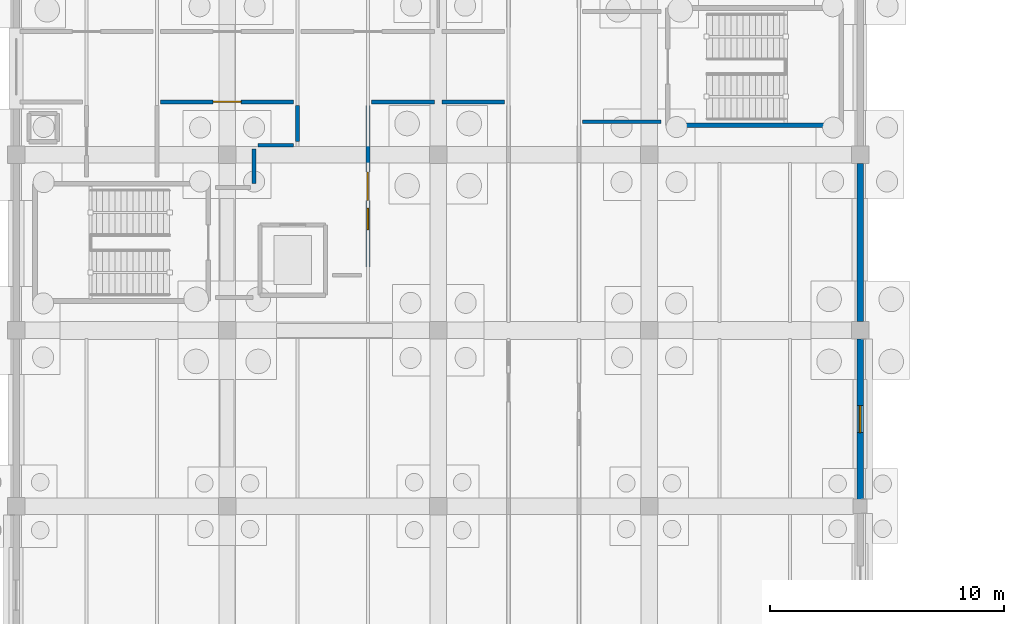
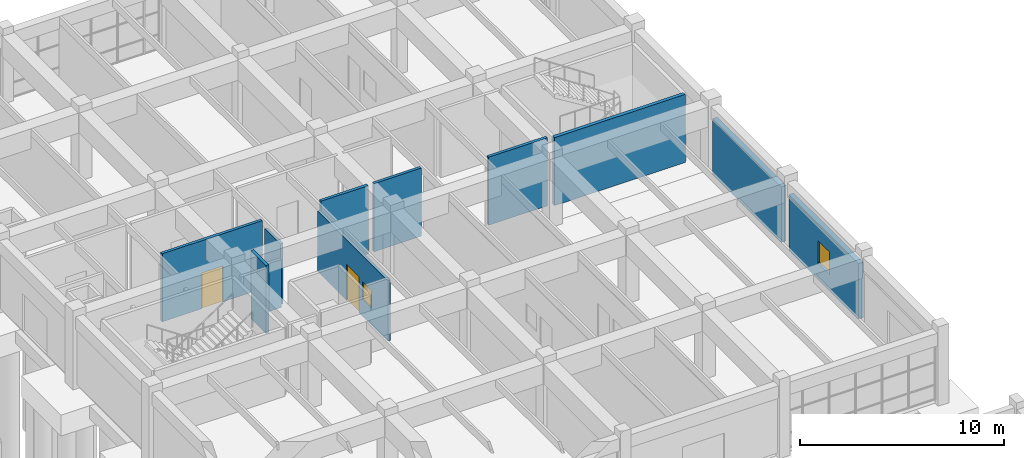
# One storey, part 83 of 93: 11 walls, 2 doors, 2 windows, 4 openings.
"""IFC4 building model written with IfcOpenShell, lengths in metres."""

from ifc_helpers import new_model, si_unit, direction, frame, frame_2d, origin, place, context, subcontext, project, spatial, rectangle, extrude, material, layer, layer_set, type_object, element, fill, save


model = new_model("IFC4")

# Units and contexts
model_context = context("Model", 3, precision=1e-05, world=origin(), true_north=direction((0.0, 1.0)))
body_context = subcontext(model_context, "Body", "Model", "MODEL_VIEW")
ifc_project = project(units=[si_unit("LENGTHUNIT", "METRE"), si_unit("AREAUNIT", "SQUARE_METRE"), si_unit("VOLUMEUNIT", "CUBIC_METRE"), si_unit("PLANEANGLEUNIT", "RADIAN"), si_unit("MASSUNIT", "GRAM", prefix="KILO")], contexts=[model_context])

# Site, building, storey
site_placement = place(None, origin())
site = spatial("IfcSite", under=ifc_project, at=site_placement, CompositionType="ELEMENT")
building_placement = place(site_placement, origin())
building = spatial("IfcBuilding", under=site, at=building_placement, Name="Marnridge Secondary College", CompositionType="ELEMENT")
storey_placement = place(building_placement, origin())
storey = spatial("IfcBuildingStorey", under=building, at=storey_placement, Name="L00", CompositionType="ELEMENT", Elevation=0.0)

# Walls
ifc_material_1 = material(Name="Concrete C40/50 (AS 3600 N40, 40 MPa)", Category="concrete")
ifc_layer_1 = layer(ifc_material_1, 0.199951171875)
ifc_layer_set_1 = layer_set([ifc_layer_1], Name="WT-CORE-RC200")
wall_type_1 = type_object("IfcWallType", Name="WT-CORE-RC200", PredefinedType="SHEAR", material=ifc_layer_set_1)
wall_1_placement = place(storey_placement, frame((81.800048828125, 61.25, 0.0), z_axis=(0.0, 0.0, 1.0), x_axis=(1.0, 0.0, 0.0)))
element("IfcWall", 1, at=wall_1_placement, inside=storey, type_object=wall_type_1, Name="Stair core shear wall WC-L00-0273", PredefinedType="SHEAR", context=body_context, shape_type="SweptSolid", body=[
    extrude(rectangle(XDim=7.39990234375, YDim=0.199951171875, at=frame_2d((3.699951171875, 0.0))), origin(), (0.0, 0.0, 1.0), 4.080078125),
])
ifc_material_2 = material(Name="Concrete C40/50 (AS 3600 N40, 40 MPa)", Category="concrete")
ifc_layer_2 = layer(ifc_material_2, 0.280029296875)
ifc_layer_set_2 = layer_set([ifc_layer_2], Name="WT-EXT-RC280")
wall_type_2 = type_object("IfcWallType", Name="WT-EXT-RC280", PredefinedType="SOLIDWALL", material=ifc_layer_set_2)
wall_2_placement = place(storey_placement, frame((90.0, 59.62890625, 0.0), z_axis=(0.0, 0.0, 1.0), x_axis=(0.0, -1.0, 0.0)))
element("IfcWall", 2, at=wall_2_placement, inside=storey, type_object=wall_type_2, Name="Exterior wall WE-L00-0005", PredefinedType="SOLIDWALL", context=body_context, shape_type="SweptSolid", body=[
    extrude(rectangle(XDim=6.7578125, YDim=0.280029296875, at=frame_2d((3.37890625, 0.0))), origin(), (0.0, 0.0, 1.0), 3.322021484375),
])

# Wall, opening, window
wall_3_placement = place(storey_placement, frame((90.0, 52.12890625, 0.0), z_axis=(0.0, 0.0, 1.0), x_axis=(0.0, -1.0, 0.0)))
wall_3 = element("IfcWall", 3, at=wall_3_placement, inside=storey, type_object=wall_type_2, Name="Exterior wall WE-L00-0006", PredefinedType="SOLIDWALL", context=body_context, shape_type="SweptSolid", body=[
    extrude(rectangle(XDim=6.8330078125, YDim=0.280029296875, at=frame_2d((3.41650390625, 0.0))), origin(), (0.0, 0.0, 1.0), 3.322021484375),
])
opening_1_placement = place(wall_3_placement, frame((2.841552734375, 0.0, 0.949951171875)))
opening_1 = element("IfcOpeningElement", 4, at=opening_1_placement, cuts=wall_3, Name="Opening WN-L00-0001", PredefinedType="OPENING", context=body_context, shape_type="SweptSolid", body=[
    extrude(rectangle(XDim=1.14990234375, YDim=1.35009765625, at=frame_2d((0.574951171875, 0.675048828125))), frame((0.0, 0.14990234375, 0.0), z_axis=(0.0, -1.0, 0.0), x_axis=(1.0, 0.0, 0.0)), (0.0, 0.0, 1.0), 0.300048828125),
])
ifc_material_3 = material(Name="Solar-control low-E double glazing", Category="glass")
window_type_1 = type_object("IfcWindowType", Name="WN-EXT-V01", PartitioningType="DOUBLE_PANEL_VERTICAL", PredefinedType="WINDOW", material=ifc_material_3)
window_1_placement = place(opening_1_placement, origin())
window_1 = element("IfcWindow", 5, at=window_1_placement, inside=storey, type_object=window_type_1, Name="Facade window WN-L00-0001", OverallHeight=1.35009765625, OverallWidth=1.14990234375, PartitioningType="DOUBLE_PANEL_VERTICAL", PredefinedType="WINDOW", context=body_context, shape_type="SweptSolid", body=[
    extrude(rectangle(XDim=1.14990234375, YDim=1.35009765625, at=frame_2d((0.574951171875, 0.675048828125))), frame((0.0, 0.030029296875, 0.0), z_axis=(0.0, -1.0, 0.0), x_axis=(1.0, 0.0, 0.0)), (0.0, 0.0, 1.0), 0.06005859375),
])
fill(opening_1, window_1)

# Wall
ifc_material_4 = material(Name="Acoustic plasterboard on twin steel Grade 350 framing Rw55", Category="steel")
ifc_layer_3 = layer(ifc_material_4, 0.1650390625)
ifc_layer_set_3 = layer_set([ifc_layer_3], Name="WT-PART-AC165")
wall_type_3 = type_object("IfcWallType", Name="WT-PART-AC165", PredefinedType="PARTITIONING", material=ifc_layer_set_3)
wall_4_placement = place(storey_placement, frame((71.840087890625, 62.25, 0.0), z_axis=(0.0, 0.0, 1.0), x_axis=(-1.0, 0.0, 0.0)))
element("IfcWall", 6, at=wall_4_placement, inside=storey, type_object=wall_type_3, Name="Interior partition WP-L00-0008", PredefinedType="PARTITIONING", context=body_context, shape_type="SweptSolid", body=[
    extrude(rectangle(XDim=2.68017578125, YDim=0.1650390625, at=frame_2d((1.340087890625, 0.0))), origin(), (0.0, 0.0, 1.0), 4.080078125),
])

# Wall, openings, door, window
wall_5_placement = place(storey_placement, frame((69.0, 62.090087890625, 0.0), z_axis=(0.0, 0.0, 1.0), x_axis=(0.0, -1.0, 0.0)))
wall_5 = element("IfcWall", 7, at=wall_5_placement, inside=storey, type_object=wall_type_3, Name="Interior partition WP-L00-0009", PredefinedType="PARTITIONING", context=body_context, shape_type="SweptSolid", body=[
    extrude(rectangle(XDim=6.880126953125, YDim=0.1650390625, at=frame_2d((3.43994140625, 0.0))), origin(), (0.0, 0.0, 1.0), 3.6220703125),
])
opening_2_placement = place(wall_5_placement, frame((2.840087890625, 0.0, 0.0)))
opening_2 = element("IfcOpeningElement", 8, at=opening_2_placement, cuts=wall_5, Name="Opening DI-L00-0004", PredefinedType="OPENING", context=body_context, shape_type="SweptSolid", body=[
    extrude(rectangle(XDim=1.199951171875, YDim=2.14990234375, at=frame_2d((0.60009765625, 1.074951171875))), frame((0.0, 0.092529296875, 0.0), z_axis=(0.0, -1.0, 0.0), x_axis=(1.0, 0.0, 0.0)), (0.0, 0.0, 1.0), 0.18505859375),
])
opening_3_placement = place(wall_5_placement, frame((4.389892578125, 0.0, 1.02001953125)))
opening_3 = element("IfcOpeningElement", 9, at=opening_3_placement, cuts=wall_5, Name="Opening WNI-L00-001", PredefinedType="OPENING", context=body_context, shape_type="SweptSolid", body=[
    extrude(rectangle(XDim=0.89990234375, YDim=1.050048828125, at=frame_2d((0.449951171875, 0.52490234375))), frame((0.0, 0.092529296875, 0.0), z_axis=(0.0, -1.0, 0.0), x_axis=(1.0, 0.0, 0.0)), (0.0, 0.0, 1.0), 0.18505859375),
])
ifc_material_5 = material(Name="Galvanised steel Grade 350 plant-room fire doorset", Category="steel")
door_type = type_object("IfcDoorType", Name="DT-PLT-120", OperationType="NOTDEFINED", PredefinedType="DOOR", material=ifc_material_5)
door_1_placement = place(opening_2_placement, origin())
door_1 = element("IfcDoor", 10, at=door_1_placement, inside=storey, type_object=door_type, Name="Interior door DI-L00-0004", OperationType="SINGLE_SWING_RIGHT", OverallHeight=2.14990234375, OverallWidth=1.199951171875, PredefinedType="DOOR", context=body_context, shape_type="SweptSolid", body=[
    extrude(rectangle(XDim=1.199951171875, YDim=2.14990234375, at=frame_2d((0.60009765625, 1.074951171875))), frame((0.0, 0.02490234375, 0.0), z_axis=(0.0, -1.0, 0.0), x_axis=(1.0, 0.0, 0.0)), (0.0, 0.0, 1.0), 0.050048828125),
])
fill(opening_2, door_1)
ifc_material_6 = material(Name="Acoustic laminated interior vision glazing", Category="glass")
window_type_2 = type_object("IfcWindowType", Name="WN-BL-VAR01", PartitioningType="DOUBLE_PANEL_VERTICAL", PredefinedType="WINDOW", material=ifc_material_6)
window_2_placement = place(opening_3_placement, origin())
window_2 = element("IfcWindow", 11, at=window_2_placement, inside=storey, type_object=window_type_2, Name="Interior vision window WNI-L00-001", OverallHeight=1.050048828125, OverallWidth=0.89990234375, PartitioningType="DOUBLE_PANEL_VERTICAL", PredefinedType="WINDOW", context=body_context, shape_type="SweptSolid", body=[
    extrude(rectangle(XDim=0.89990234375, YDim=1.050048828125, at=frame_2d((0.449951171875, 0.52490234375))), frame((0.0, 0.030029296875, 0.0), z_axis=(0.0, -1.0, 0.0), x_axis=(1.0, 0.0, 0.0)), (0.0, 0.0, 1.0), 0.06005859375),
])
fill(opening_3, window_2)

# Walls
wall_6_placement = place(storey_placement, frame((74.840087890625, 62.25, 0.0), z_axis=(0.0, 0.0, 1.0), x_axis=(-1.0, 0.0, 0.0)))
element("IfcWall", 12, at=wall_6_placement, inside=storey, type_object=wall_type_3, Name="Interior partition WP-L00-0012", PredefinedType="PARTITIONING", context=body_context, shape_type="SweptSolid", body=[
    extrude(rectangle(XDim=2.68017578125, YDim=0.1650390625, at=frame_2d((1.340087890625, 0.0))), origin(), (0.0, 0.0, 1.0), 4.080078125),
])
wall_7_placement = place(storey_placement, frame((81.5, 61.39990234375, 0.0), z_axis=(0.0, 0.0, 1.0), x_axis=(-1.0, 0.0, 0.0)))
element("IfcWall", 13, at=wall_7_placement, inside=storey, type_object=wall_type_3, Name="Interior partition WP-L00-0013", PredefinedType="PARTITIONING", context=body_context, shape_type="SweptSolid", body=[
    extrude(rectangle(XDim=3.340087890625, YDim=0.1650390625, at=frame_2d((1.669921875, 0.0))), origin(), (0.0, 0.0, 1.0), 4.080078125),
])
wall_8_placement = place(storey_placement, frame((64.14990234375, 58.760009765625, 0.0), z_axis=(0.0, 0.0, 1.0), x_axis=(0.0, 1.0, 0.0)))
element("IfcWall", 14, at=wall_8_placement, inside=storey, type_object=wall_type_3, Name="Interior partition WP-L00-0016", PredefinedType="PARTITIONING", context=body_context, shape_type="SweptSolid", body=[
    extrude(rectangle(XDim=1.47998046875, YDim=0.1650390625, at=frame_2d((0.739990234375, 0.0))), origin(), (0.0, 0.0, 1.0), 4.080078125),
])
wall_9_placement = place(storey_placement, frame((64.31005859375, 60.39990234375, 0.0), z_axis=(0.0, 0.0, 1.0), x_axis=(1.0, 0.0, 0.0)))
element("IfcWall", 15, at=wall_9_placement, inside=storey, type_object=wall_type_3, Name="Interior partition WP-L00-0017", PredefinedType="PARTITIONING", context=body_context, shape_type="SweptSolid", body=[
    extrude(rectangle(XDim=1.530029296875, YDim=0.1650390625, at=frame_2d((0.76513671875, 0.0))), origin(), (0.0, 0.0, 1.0), 2.8720703125),
])
wall_10_placement = place(storey_placement, frame((66.0, 60.56005859375, 0.0), z_axis=(0.0, 0.0, 1.0), x_axis=(0.0, 1.0, 0.0)))
element("IfcWall", 16, at=wall_10_placement, inside=storey, type_object=wall_type_3, Name="Interior partition WP-L00-0018", PredefinedType="PARTITIONING", context=body_context, shape_type="SweptSolid", body=[
    extrude(rectangle(XDim=1.530029296875, YDim=0.1650390625, at=frame_2d((0.76513671875, 0.0))), origin(), (0.0, 0.0, 1.0), 3.6220703125),
])

# Wall, opening, door
wall_11_placement = place(storey_placement, frame((65.840087890625, 62.25, 0.0), z_axis=(0.0, 0.0, 1.0), x_axis=(-1.0, 0.0, 0.0)))
wall_11 = element("IfcWall", 17, at=wall_11_placement, inside=storey, type_object=wall_type_3, Name="Interior partition WP-L00-0019", PredefinedType="PARTITIONING", context=body_context, shape_type="SweptSolid", body=[
    extrude(rectangle(XDim=5.68017578125, YDim=0.1650390625, at=frame_2d((2.840087890625, 0.0))), origin(), (0.0, 0.0, 1.0), 4.080078125),
])
opening_4_placement = place(wall_11_placement, frame((2.239990234375, 0.0, 0.0)))
opening_4 = element("IfcOpeningElement", 18, at=opening_4_placement, cuts=wall_11, Name="Opening DI-L00-0007", PredefinedType="OPENING", context=body_context, shape_type="SweptSolid", body=[
    extrude(rectangle(XDim=1.199951171875, YDim=2.14990234375, at=frame_2d((0.60009765625, 1.074951171875))), frame((0.0, 0.092529296875, 0.0), z_axis=(0.0, -1.0, 0.0), x_axis=(1.0, 0.0, 0.0)), (0.0, 0.0, 1.0), 0.18505859375),
])
door_2_placement = place(opening_4_placement, origin())
door_2 = element("IfcDoor", 19, at=door_2_placement, inside=storey, type_object=door_type, Name="Interior door DI-L00-0007", OperationType="SINGLE_SWING_LEFT", OverallHeight=2.14990234375, OverallWidth=1.199951171875, PredefinedType="DOOR", context=body_context, shape_type="SweptSolid", body=[
    extrude(rectangle(XDim=1.199951171875, YDim=2.14990234375, at=frame_2d((0.60009765625, 1.074951171875))), frame((0.0, 0.02490234375, 0.0), z_axis=(0.0, -1.0, 0.0), x_axis=(1.0, 0.0, 0.0)), (0.0, 0.0, 1.0), 0.050048828125),
])
fill(opening_4, door_2)

save(model, "model.ifc")
